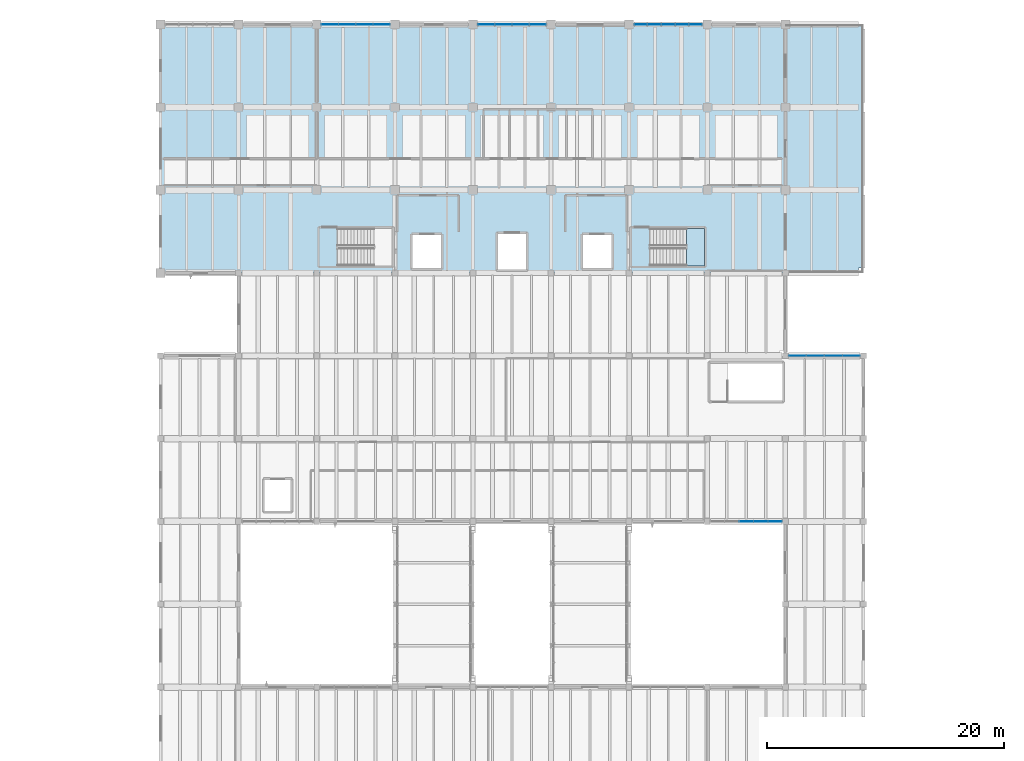
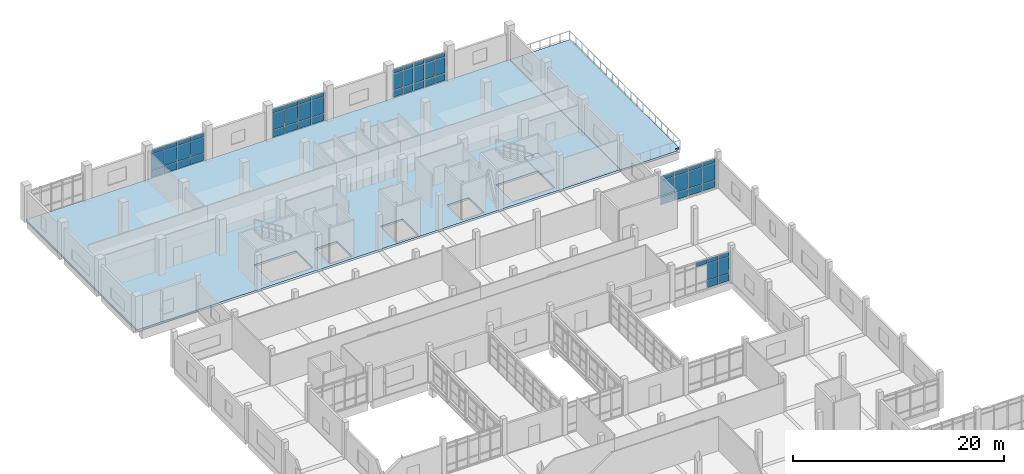
# One storey, part 43 of 65: 58 plates, 3 slabs, 6 elements without a shape of their own.
"""IFC4 building model written with IfcOpenShell, lengths in metres."""

from ifc_helpers import new_model, si_unit, direction, frame, origin, origin_2d, place, context, subcontext, project, spatial, polyline, rectangle, outline, extrude, material, layer, layer_set, type_object, element, aggregate, save


model = new_model("IFC4")

# Units and contexts
model_context = context("Model", 3, precision=1e-05, world=origin(), true_north=direction((0.0, 1.0)))
body_context = subcontext(model_context, "Body", "Model", "MODEL_VIEW")
ifc_project = project(units=[si_unit("LENGTHUNIT", "METRE"), si_unit("AREAUNIT", "SQUARE_METRE"), si_unit("VOLUMEUNIT", "CUBIC_METRE"), si_unit("PLANEANGLEUNIT", "RADIAN"), si_unit("MASSUNIT", "GRAM", prefix="KILO")], contexts=[model_context])

# Site, building, storey
site_placement = place(None, origin())
site = spatial("IfcSite", under=ifc_project, at=site_placement, CompositionType="ELEMENT")
building_placement = place(site_placement, origin())
building = spatial("IfcBuilding", under=site, at=building_placement, Name="Ciguamira Faculty of Natural Sciences", CompositionType="ELEMENT")
storey_placement = place(building_placement, frame((0.0, 0.0, 12.60009765625)))
storey = spatial("IfcBuildingStorey", under=building, at=storey_placement, Name="L03", CompositionType="ELEMENT", Elevation=12.60009765625)

# Curtain wall, plates
ifc_material_1 = material(Name="Anodized aluminium curtain wall", Category="aluminium")
curtain_wall_type_1 = type_object("IfcCurtainWallType", Name="CurtainWall_CW-11", PredefinedType="USERDEFINED", material=ifc_material_1)
curtain_wall_1_placement = place(storey_placement, origin())
curtain_wall_1 = element("IfcCurtainWall", 1, at=curtain_wall_1_placement, inside=storey, type_object=curtain_wall_type_1, Name="L03 unitised curtain wall 0095", ObjectType="UNITISED CURTAIN WALL", PredefinedType="USERDEFINED")
ifc_material_2 = material(Name="Low-E laminated solar glass", Category="glass")
ifc_layer_1 = layer(ifc_material_2, 0.028076171875, Name="Low-E laminated solar glass")
ifc_layer_set_1 = layer_set([ifc_layer_1], Name="Low-E laminated solar glass")
plate_type_1 = type_object("IfcPlateType", Name="CWPanel_CWP-01", PredefinedType="CURTAIN_PANEL", material=ifc_layer_set_1)
plate_1_placement = place(storey_placement, frame((111.1298828125, 87.0, 0.06982421875), z_axis=(0.0, 0.0, 1.0), x_axis=(1.0, 0.0, 0.0)))
plate_1 = element("IfcPlate", 2, at=plate_1_placement, type_object=plate_type_1, Name="CW-11 panel 1.1", PredefinedType="CURTAIN_PANEL", context=body_context, shape_type="SweptSolid", body=[
    extrude(rectangle(XDim=1.419921875, YDim=0.028076171875, at=origin_2d()), origin(), (0.0, 0.0, 1.0), 0.794921875),
])
plate_2_placement = place(storey_placement, frame((111.1298828125, 87.0, 0.93505859375), z_axis=(0.0, 0.0, 1.0), x_axis=(1.0, 0.0, 0.0)))
plate_2 = element("IfcPlate", 3, at=plate_2_placement, type_object=plate_type_1, Name="CW-11 panel 1.2", PredefinedType="CURTAIN_PANEL", context=body_context, shape_type="SweptSolid", body=[
    extrude(rectangle(XDim=1.419921875, YDim=0.028076171875, at=origin_2d()), origin(), (0.0, 0.0, 1.0), 1.885009765625),
])
plate_3_placement = place(storey_placement, frame((111.1298828125, 87.0, 2.8896484375), z_axis=(0.0, 0.0, 1.0), x_axis=(1.0, 0.0, 0.0)))
plate_3 = element("IfcPlate", 4, at=plate_3_placement, type_object=plate_type_1, Name="CW-11 panel 1.3", PredefinedType="CURTAIN_PANEL", context=body_context, shape_type="SweptSolid", body=[
    extrude(rectangle(XDim=1.419921875, YDim=0.028076171875, at=origin_2d()), origin(), (0.0, 0.0, 1.0), 0.445068359375),
])
plate_4_placement = place(storey_placement, frame((112.637451171875, 87.0, 0.06982421875), z_axis=(0.0, 0.0, 1.0), x_axis=(1.0, 0.0, 0.0)))
plate_4 = element("IfcPlate", 5, at=plate_4_placement, type_object=plate_type_1, Name="CW-11 panel 2.1", PredefinedType="CURTAIN_PANEL", context=body_context, shape_type="SweptSolid", body=[
    extrude(rectangle(XDim=1.455078125, YDim=0.028076171875, at=origin_2d()), origin(), (0.0, 0.0, 1.0), 0.794921875),
])
plate_5_placement = place(storey_placement, frame((112.637451171875, 87.0, 0.93505859375), z_axis=(0.0, 0.0, 1.0), x_axis=(1.0, 0.0, 0.0)))
plate_5 = element("IfcPlate", 6, at=plate_5_placement, type_object=plate_type_1, Name="CW-11 panel 2.2", PredefinedType="CURTAIN_PANEL", context=body_context, shape_type="SweptSolid", body=[
    extrude(rectangle(XDim=1.455078125, YDim=0.028076171875, at=origin_2d()), origin(), (0.0, 0.0, 1.0), 1.885009765625),
])
plate_6_placement = place(storey_placement, frame((112.637451171875, 87.0, 2.8896484375), z_axis=(0.0, 0.0, 1.0), x_axis=(1.0, 0.0, 0.0)))
plate_6 = element("IfcPlate", 7, at=plate_6_placement, type_object=plate_type_1, Name="CW-11 panel 2.3", PredefinedType="CURTAIN_PANEL", context=body_context, shape_type="SweptSolid", body=[
    extrude(rectangle(XDim=1.455078125, YDim=0.028076171875, at=origin_2d()), origin(), (0.0, 0.0, 1.0), 0.445068359375),
])
plate_7_placement = place(storey_placement, frame((114.16259765625, 87.0, 0.06982421875), z_axis=(0.0, 0.0, 1.0), x_axis=(1.0, 0.0, 0.0)))
plate_7 = element("IfcPlate", 8, at=plate_7_placement, type_object=plate_type_1, Name="CW-11 panel 3.1", PredefinedType="CURTAIN_PANEL", context=body_context, shape_type="SweptSolid", body=[
    extrude(rectangle(XDim=1.455078125, YDim=0.028076171875, at=origin_2d()), origin(), (0.0, 0.0, 1.0), 0.794921875),
])
plate_8_placement = place(storey_placement, frame((114.16259765625, 87.0, 0.93505859375), z_axis=(0.0, 0.0, 1.0), x_axis=(1.0, 0.0, 0.0)))
plate_8 = element("IfcPlate", 9, at=plate_8_placement, type_object=plate_type_1, Name="CW-11 panel 3.2", PredefinedType="CURTAIN_PANEL", context=body_context, shape_type="SweptSolid", body=[
    extrude(rectangle(XDim=1.455078125, YDim=0.028076171875, at=origin_2d()), origin(), (0.0, 0.0, 1.0), 1.885009765625),
])
plate_9_placement = place(storey_placement, frame((114.16259765625, 87.0, 2.8896484375), z_axis=(0.0, 0.0, 1.0), x_axis=(1.0, 0.0, 0.0)))
plate_9 = element("IfcPlate", 10, at=plate_9_placement, type_object=plate_type_1, Name="CW-11 panel 3.3", PredefinedType="CURTAIN_PANEL", context=body_context, shape_type="SweptSolid", body=[
    extrude(rectangle(XDim=1.455078125, YDim=0.028076171875, at=origin_2d()), origin(), (0.0, 0.0, 1.0), 0.445068359375),
])
plate_10_placement = place(storey_placement, frame((115.669921875, 87.0, 0.06982421875), z_axis=(0.0, 0.0, 1.0), x_axis=(1.0, 0.0, 0.0)))
plate_10 = element("IfcPlate", 11, at=plate_10_placement, type_object=plate_type_1, Name="CW-11 panel 4.1", PredefinedType="CURTAIN_PANEL", context=body_context, shape_type="SweptSolid", body=[
    extrude(rectangle(XDim=1.419921875, YDim=0.028076171875, at=origin_2d()), origin(), (0.0, 0.0, 1.0), 0.794921875),
])
plate_11_placement = place(storey_placement, frame((115.669921875, 87.0, 0.93505859375), z_axis=(0.0, 0.0, 1.0), x_axis=(1.0, 0.0, 0.0)))
plate_11 = element("IfcPlate", 12, at=plate_11_placement, type_object=plate_type_1, Name="CW-11 panel 4.2", PredefinedType="CURTAIN_PANEL", context=body_context, shape_type="SweptSolid", body=[
    extrude(rectangle(XDim=1.419921875, YDim=0.028076171875, at=origin_2d()), origin(), (0.0, 0.0, 1.0), 1.885009765625),
])
plate_12_placement = place(storey_placement, frame((115.669921875, 87.0, 2.8896484375), z_axis=(0.0, 0.0, 1.0), x_axis=(1.0, 0.0, 0.0)))
plate_12 = element("IfcPlate", 13, at=plate_12_placement, type_object=plate_type_1, Name="CW-11 panel 4.3", PredefinedType="CURTAIN_PANEL", context=body_context, shape_type="SweptSolid", body=[
    extrude(rectangle(XDim=1.419921875, YDim=0.028076171875, at=origin_2d()), origin(), (0.0, 0.0, 1.0), 0.445068359375),
])
aggregate(curtain_wall_1, [plate_1, plate_2, plate_3, plate_4, plate_5, plate_6, plate_7, plate_8, plate_9, plate_10, plate_11, plate_12])

curtain_wall_type_2 = type_object("IfcCurtainWallType", Name="CurtainWall_CW-01", PredefinedType="USERDEFINED", material=ifc_material_1)
curtain_wall_2_placement = place(storey_placement, origin())
curtain_wall_2 = element("IfcCurtainWall", 14, at=curtain_wall_2_placement, inside=storey, type_object=curtain_wall_type_2, Name="L03 unitised curtain wall 0097", ObjectType="UNITISED CURTAIN WALL", PredefinedType="USERDEFINED")
plate_13_placement = place(storey_placement, frame((71.621337890625, 115.0, 0.059814453125), z_axis=(0.0, 0.0, 1.0), x_axis=(1.0, 0.0, 0.0)))
plate_13 = element("IfcPlate", 15, at=plate_13_placement, type_object=plate_type_1, Name="CW-01 panel 1.1", PredefinedType="CURTAIN_PANEL", context=body_context, shape_type="SweptSolid", body=[
    extrude(rectangle(XDim=1.37255859375, YDim=0.028076171875, at=origin_2d()), origin(), (0.0, 0.0, 1.0), 0.81005859375),
])
plate_14_placement = place(storey_placement, frame((71.621337890625, 115.0, 0.929931640625), z_axis=(0.0, 0.0, 1.0), x_axis=(1.0, 0.0, 0.0)))
plate_14 = element("IfcPlate", 16, at=plate_14_placement, type_object=plate_type_1, Name="CW-01 panel 1.2", PredefinedType="CURTAIN_PANEL", context=body_context, shape_type="SweptSolid", body=[
    extrude(rectangle(XDim=1.37255859375, YDim=0.028076171875, at=origin_2d()), origin(), (0.0, 0.0, 1.0), 1.77490234375),
])
plate_15_placement = place(storey_placement, frame((71.621337890625, 115.0, 2.764892578125), z_axis=(0.0, 0.0, 1.0), x_axis=(1.0, 0.0, 0.0)))
plate_15 = element("IfcPlate", 17, at=plate_15_placement, type_object=plate_type_1, Name="CW-01 panel 1.3", PredefinedType="CURTAIN_PANEL", context=body_context, shape_type="SweptSolid", body=[
    extrude(rectangle(XDim=1.37255859375, YDim=0.028076171875, at=origin_2d()), origin(), (0.0, 0.0, 1.0), 0.4599609375),
])
plate_16_placement = place(storey_placement, frame((73.06884765625, 115.0, 0.059814453125), z_axis=(0.0, 0.0, 1.0), x_axis=(1.0, 0.0, 0.0)))
plate_16 = element("IfcPlate", 18, at=plate_16_placement, type_object=plate_type_1, Name="CW-01 panel 2.1", PredefinedType="CURTAIN_PANEL", context=body_context, shape_type="SweptSolid", body=[
    extrude(rectangle(XDim=1.402587890625, YDim=0.028076171875, at=origin_2d()), origin(), (0.0, 0.0, 1.0), 0.81005859375),
])
plate_17_placement = place(storey_placement, frame((73.06884765625, 115.0, 0.929931640625), z_axis=(0.0, 0.0, 1.0), x_axis=(1.0, 0.0, 0.0)))
plate_17 = element("IfcPlate", 19, at=plate_17_placement, type_object=plate_type_1, Name="CW-01 panel 2.2", PredefinedType="CURTAIN_PANEL", context=body_context, shape_type="SweptSolid", body=[
    extrude(rectangle(XDim=1.402587890625, YDim=0.028076171875, at=origin_2d()), origin(), (0.0, 0.0, 1.0), 1.77490234375),
])
plate_18_placement = place(storey_placement, frame((73.06884765625, 115.0, 2.764892578125), z_axis=(0.0, 0.0, 1.0), x_axis=(1.0, 0.0, 0.0)))
plate_18 = element("IfcPlate", 20, at=plate_18_placement, type_object=plate_type_1, Name="CW-01 panel 2.3", PredefinedType="CURTAIN_PANEL", context=body_context, shape_type="SweptSolid", body=[
    extrude(rectangle(XDim=1.402587890625, YDim=0.028076171875, at=origin_2d()), origin(), (0.0, 0.0, 1.0), 0.4599609375),
])
plate_19_placement = place(storey_placement, frame((74.53125, 115.0, 0.059814453125), z_axis=(0.0, 0.0, 1.0), x_axis=(1.0, 0.0, 0.0)))
plate_19 = element("IfcPlate", 21, at=plate_19_placement, type_object=plate_type_1, Name="CW-01 panel 3.1", PredefinedType="CURTAIN_PANEL", context=body_context, shape_type="SweptSolid", body=[
    extrude(rectangle(XDim=1.402587890625, YDim=0.028076171875, at=origin_2d()), origin(), (0.0, 0.0, 1.0), 0.81005859375),
])
plate_20_placement = place(storey_placement, frame((74.53125, 115.0, 0.929931640625), z_axis=(0.0, 0.0, 1.0), x_axis=(1.0, 0.0, 0.0)))
plate_20 = element("IfcPlate", 22, at=plate_20_placement, type_object=plate_type_1, Name="CW-01 panel 3.2", PredefinedType="CURTAIN_PANEL", context=body_context, shape_type="SweptSolid", body=[
    extrude(rectangle(XDim=1.402587890625, YDim=0.028076171875, at=origin_2d()), origin(), (0.0, 0.0, 1.0), 1.77490234375),
])
plate_21_placement = place(storey_placement, frame((74.53125, 115.0, 2.764892578125), z_axis=(0.0, 0.0, 1.0), x_axis=(1.0, 0.0, 0.0)))
plate_21 = element("IfcPlate", 23, at=plate_21_placement, type_object=plate_type_1, Name="CW-01 panel 3.3", PredefinedType="CURTAIN_PANEL", context=body_context, shape_type="SweptSolid", body=[
    extrude(rectangle(XDim=1.402587890625, YDim=0.028076171875, at=origin_2d()), origin(), (0.0, 0.0, 1.0), 0.4599609375),
])
plate_22_placement = place(storey_placement, frame((75.978759765625, 115.0, 0.059814453125), z_axis=(0.0, 0.0, 1.0), x_axis=(1.0, 0.0, 0.0)))
plate_22 = element("IfcPlate", 24, at=plate_22_placement, type_object=plate_type_1, Name="CW-01 panel 4.1", PredefinedType="CURTAIN_PANEL", context=body_context, shape_type="SweptSolid", body=[
    extrude(rectangle(XDim=1.37255859375, YDim=0.028076171875, at=origin_2d()), origin(), (0.0, 0.0, 1.0), 0.81005859375),
])
plate_23_placement = place(storey_placement, frame((75.978759765625, 115.0, 0.929931640625), z_axis=(0.0, 0.0, 1.0), x_axis=(1.0, 0.0, 0.0)))
plate_23 = element("IfcPlate", 25, at=plate_23_placement, type_object=plate_type_1, Name="CW-01 panel 4.2", PredefinedType="CURTAIN_PANEL", context=body_context, shape_type="SweptSolid", body=[
    extrude(rectangle(XDim=1.37255859375, YDim=0.028076171875, at=origin_2d()), origin(), (0.0, 0.0, 1.0), 1.77490234375),
])
plate_24_placement = place(storey_placement, frame((75.978759765625, 115.0, 2.764892578125), z_axis=(0.0, 0.0, 1.0), x_axis=(1.0, 0.0, 0.0)))
plate_24 = element("IfcPlate", 26, at=plate_24_placement, type_object=plate_type_1, Name="CW-01 panel 4.3", PredefinedType="CURTAIN_PANEL", context=body_context, shape_type="SweptSolid", body=[
    extrude(rectangle(XDim=1.37255859375, YDim=0.028076171875, at=origin_2d()), origin(), (0.0, 0.0, 1.0), 0.4599609375),
])
aggregate(curtain_wall_2, [plate_13, plate_14, plate_15, plate_16, plate_17, plate_18, plate_19, plate_20, plate_21, plate_22, plate_23, plate_24])

curtain_wall_type_3 = type_object("IfcCurtainWallType", Name="CurtainWall_CW-03", PredefinedType="USERDEFINED", material=ifc_material_1)
curtain_wall_3_placement = place(storey_placement, origin())
curtain_wall_3 = element("IfcCurtainWall", 27, at=curtain_wall_3_placement, inside=storey, type_object=curtain_wall_type_3, Name="L03 unitised curtain wall 0099", ObjectType="UNITISED CURTAIN WALL", PredefinedType="USERDEFINED")
plate_25_placement = place(storey_placement, frame((97.8798828125, 115.0, 0.080078125), z_axis=(0.0, 0.0, 1.0), x_axis=(1.0, 0.0, 0.0)))
plate_25 = element("IfcPlate", 28, at=plate_25_placement, type_object=plate_type_1, Name="CW-03 panel 1.1", PredefinedType="CURTAIN_PANEL", context=body_context, shape_type="SweptSolid", body=[
    extrude(rectangle(XDim=1.050048828125, YDim=0.028076171875, at=origin_2d()), origin(), (0.0, 0.0, 1.0), 0.780029296875),
])
plate_26_placement = place(storey_placement, frame((97.8798828125, 115.0, 0.93994140625), z_axis=(0.0, 0.0, 1.0), x_axis=(1.0, 0.0, 0.0)))
plate_26 = element("IfcPlate", 29, at=plate_26_placement, type_object=plate_type_1, Name="CW-03 panel 1.2", PredefinedType="CURTAIN_PANEL", context=body_context, shape_type="SweptSolid", body=[
    extrude(rectangle(XDim=1.050048828125, YDim=0.028076171875, at=origin_2d()), origin(), (0.0, 0.0, 1.0), 1.81494140625),
])
plate_27_placement = place(storey_placement, frame((97.8798828125, 115.0, 2.8349609375), z_axis=(0.0, 0.0, 1.0), x_axis=(1.0, 0.0, 0.0)))
plate_27 = element("IfcPlate", 30, at=plate_27_placement, type_object=plate_type_1, Name="CW-03 panel 1.3", PredefinedType="CURTAIN_PANEL", context=body_context, shape_type="SweptSolid", body=[
    extrude(rectangle(XDim=1.050048828125, YDim=0.028076171875, at=origin_2d()), origin(), (0.0, 0.0, 1.0), 0.429931640625),
])
plate_28_placement = place(storey_placement, frame((99.030029296875, 115.0, 0.080078125), z_axis=(0.0, 0.0, 1.0), x_axis=(1.0, 0.0, 0.0)))
plate_28 = element("IfcPlate", 31, at=plate_28_placement, type_object=plate_type_1, Name="CW-03 panel 2.1", PredefinedType="CURTAIN_PANEL", context=body_context, shape_type="SweptSolid", body=[
    extrude(rectangle(XDim=1.090087890625, YDim=0.028076171875, at=origin_2d()), origin(), (0.0, 0.0, 1.0), 0.780029296875),
])
plate_29_placement = place(storey_placement, frame((99.030029296875, 115.0, 0.93994140625), z_axis=(0.0, 0.0, 1.0), x_axis=(1.0, 0.0, 0.0)))
plate_29 = element("IfcPlate", 32, at=plate_29_placement, type_object=plate_type_1, Name="CW-03 panel 2.2", PredefinedType="CURTAIN_PANEL", context=body_context, shape_type="SweptSolid", body=[
    extrude(rectangle(XDim=1.090087890625, YDim=0.028076171875, at=origin_2d()), origin(), (0.0, 0.0, 1.0), 1.81494140625),
])
plate_30_placement = place(storey_placement, frame((99.030029296875, 115.0, 2.8349609375), z_axis=(0.0, 0.0, 1.0), x_axis=(1.0, 0.0, 0.0)))
plate_30 = element("IfcPlate", 33, at=plate_30_placement, type_object=plate_type_1, Name="CW-03 panel 2.3", PredefinedType="CURTAIN_PANEL", context=body_context, shape_type="SweptSolid", body=[
    extrude(rectangle(XDim=1.090087890625, YDim=0.028076171875, at=origin_2d()), origin(), (0.0, 0.0, 1.0), 0.429931640625),
])
plate_31_placement = place(storey_placement, frame((100.199951171875, 115.0, 0.080078125), z_axis=(0.0, 0.0, 1.0), x_axis=(1.0, 0.0, 0.0)))
plate_31 = element("IfcPlate", 34, at=plate_31_placement, type_object=plate_type_1, Name="CW-03 panel 3.1", PredefinedType="CURTAIN_PANEL", context=body_context, shape_type="SweptSolid", body=[
    extrude(rectangle(XDim=1.090087890625, YDim=0.028076171875, at=origin_2d()), origin(), (0.0, 0.0, 1.0), 0.780029296875),
])
plate_32_placement = place(storey_placement, frame((100.199951171875, 115.0, 0.93994140625), z_axis=(0.0, 0.0, 1.0), x_axis=(1.0, 0.0, 0.0)))
plate_32 = element("IfcPlate", 35, at=plate_32_placement, type_object=plate_type_1, Name="CW-03 panel 3.2", PredefinedType="CURTAIN_PANEL", context=body_context, shape_type="SweptSolid", body=[
    extrude(rectangle(XDim=1.090087890625, YDim=0.028076171875, at=origin_2d()), origin(), (0.0, 0.0, 1.0), 1.81494140625),
])
plate_33_placement = place(storey_placement, frame((100.199951171875, 115.0, 2.8349609375), z_axis=(0.0, 0.0, 1.0), x_axis=(1.0, 0.0, 0.0)))
plate_33 = element("IfcPlate", 36, at=plate_33_placement, type_object=plate_type_1, Name="CW-03 panel 3.3", PredefinedType="CURTAIN_PANEL", context=body_context, shape_type="SweptSolid", body=[
    extrude(rectangle(XDim=1.090087890625, YDim=0.028076171875, at=origin_2d()), origin(), (0.0, 0.0, 1.0), 0.429931640625),
])
plate_34_placement = place(storey_placement, frame((101.3701171875, 115.0, 0.080078125), z_axis=(0.0, 0.0, 1.0), x_axis=(1.0, 0.0, 0.0)))
plate_34 = element("IfcPlate", 37, at=plate_34_placement, type_object=plate_type_1, Name="CW-03 panel 4.1", PredefinedType="CURTAIN_PANEL", context=body_context, shape_type="SweptSolid", body=[
    extrude(rectangle(XDim=1.090087890625, YDim=0.028076171875, at=origin_2d()), origin(), (0.0, 0.0, 1.0), 0.780029296875),
])
plate_35_placement = place(storey_placement, frame((101.3701171875, 115.0, 0.93994140625), z_axis=(0.0, 0.0, 1.0), x_axis=(1.0, 0.0, 0.0)))
plate_35 = element("IfcPlate", 38, at=plate_35_placement, type_object=plate_type_1, Name="CW-03 panel 4.2", PredefinedType="CURTAIN_PANEL", context=body_context, shape_type="SweptSolid", body=[
    extrude(rectangle(XDim=1.090087890625, YDim=0.028076171875, at=origin_2d()), origin(), (0.0, 0.0, 1.0), 1.81494140625),
])
plate_36_placement = place(storey_placement, frame((101.3701171875, 115.0, 2.8349609375), z_axis=(0.0, 0.0, 1.0), x_axis=(1.0, 0.0, 0.0)))
plate_36 = element("IfcPlate", 39, at=plate_36_placement, type_object=plate_type_1, Name="CW-03 panel 4.3", PredefinedType="CURTAIN_PANEL", context=body_context, shape_type="SweptSolid", body=[
    extrude(rectangle(XDim=1.090087890625, YDim=0.028076171875, at=origin_2d()), origin(), (0.0, 0.0, 1.0), 0.429931640625),
])
plate_37_placement = place(storey_placement, frame((102.52001953125, 115.0, 0.080078125), z_axis=(0.0, 0.0, 1.0), x_axis=(1.0, 0.0, 0.0)))
plate_37 = element("IfcPlate", 40, at=plate_37_placement, type_object=plate_type_1, Name="CW-03 panel 5.1", PredefinedType="CURTAIN_PANEL", context=body_context, shape_type="SweptSolid", body=[
    extrude(rectangle(XDim=1.050048828125, YDim=0.028076171875, at=origin_2d()), origin(), (0.0, 0.0, 1.0), 0.780029296875),
])
plate_38_placement = place(storey_placement, frame((102.52001953125, 115.0, 0.93994140625), z_axis=(0.0, 0.0, 1.0), x_axis=(1.0, 0.0, 0.0)))
plate_38 = element("IfcPlate", 41, at=plate_38_placement, type_object=plate_type_1, Name="CW-03 panel 5.2", PredefinedType="CURTAIN_PANEL", context=body_context, shape_type="SweptSolid", body=[
    extrude(rectangle(XDim=1.050048828125, YDim=0.028076171875, at=origin_2d()), origin(), (0.0, 0.0, 1.0), 1.81494140625),
])
plate_39_placement = place(storey_placement, frame((102.52001953125, 115.0, 2.8349609375), z_axis=(0.0, 0.0, 1.0), x_axis=(1.0, 0.0, 0.0)))
plate_39 = element("IfcPlate", 42, at=plate_39_placement, type_object=plate_type_1, Name="CW-03 panel 5.3", PredefinedType="CURTAIN_PANEL", context=body_context, shape_type="SweptSolid", body=[
    extrude(rectangle(XDim=1.050048828125, YDim=0.028076171875, at=origin_2d()), origin(), (0.0, 0.0, 1.0), 0.429931640625),
])
aggregate(curtain_wall_3, [plate_25, plate_26, plate_27, plate_28, plate_29, plate_30, plate_31, plate_32, plate_33, plate_34, plate_35, plate_36, plate_37, plate_38, plate_39])

curtain_wall_type_4 = type_object("IfcCurtainWallType", Name="CurtainWall_CW-10", PredefinedType="USERDEFINED", material=ifc_material_1)
curtain_wall_4_placement = place(storey_placement, origin())
curtain_wall_4 = element("IfcCurtainWall", 43, at=curtain_wall_4_placement, inside=storey, type_object=curtain_wall_type_4, Name="L03 unitised curtain wall 0094", ObjectType="UNITISED CURTAIN WALL", PredefinedType="USERDEFINED")
ifc_layer_2 = layer(ifc_material_2, 0.035888671875, Name="Low-E laminated solar glass")
ifc_layer_set_2 = layer_set([ifc_layer_2], Name="Low-E laminated solar glass")
plate_type_2 = type_object("IfcPlateType", Name="CWPanel_CWP-02", PredefinedType="CURTAIN_PANEL", material=ifc_layer_set_2)
plate_40_placement = place(storey_placement, frame((106.800048828125, 73.0, 2.885009765625), z_axis=(0.0, 0.0, 1.0), x_axis=(1.0, 0.0, 0.0)))
plate_40 = element("IfcPlate", 44, at=plate_40_placement, type_object=plate_type_2, Name="CW-10 panel 3.3", PredefinedType="CURTAIN_PANEL", context=body_context, shape_type="SweptSolid", body=[
    extrude(rectangle(XDim=1.159912109375, YDim=0.035888671875, at=origin_2d()), origin(), (0.0, 0.0, 1.0), 0.4599609375),
])
plate_41_placement = place(storey_placement, frame((108.02001953125, 73.0, 0.059814453125), z_axis=(0.0, 0.0, 1.0), x_axis=(1.0, 0.0, 0.0)))
plate_41 = element("IfcPlate", 45, at=plate_41_placement, type_object=plate_type_2, Name="CW-10 panel 4.1", PredefinedType="CURTAIN_PANEL", context=body_context, shape_type="SweptSolid", body=[
    extrude(rectangle(XDim=1.159912109375, YDim=0.035888671875, at=origin_2d()), origin(), (0.0, 0.0, 1.0), 0.81005859375),
])
plate_42_placement = place(storey_placement, frame((108.02001953125, 73.0, 0.929931640625), z_axis=(0.0, 0.0, 1.0), x_axis=(1.0, 0.0, 0.0)))
plate_42 = element("IfcPlate", 46, at=plate_42_placement, type_object=plate_type_2, Name="CW-10 panel 4.2", PredefinedType="CURTAIN_PANEL", context=body_context, shape_type="SweptSolid", body=[
    extrude(rectangle(XDim=1.159912109375, YDim=0.035888671875, at=origin_2d()), origin(), (0.0, 0.0, 1.0), 1.89501953125),
])
plate_43_placement = place(storey_placement, frame((108.02001953125, 73.0, 2.885009765625), z_axis=(0.0, 0.0, 1.0), x_axis=(1.0, 0.0, 0.0)))
plate_43 = element("IfcPlate", 47, at=plate_43_placement, type_object=plate_type_2, Name="CW-10 panel 4.3", PredefinedType="CURTAIN_PANEL", context=body_context, shape_type="SweptSolid", body=[
    extrude(rectangle(XDim=1.159912109375, YDim=0.035888671875, at=origin_2d()), origin(), (0.0, 0.0, 1.0), 0.4599609375),
])
plate_44_placement = place(storey_placement, frame((109.22509765625, 73.0, 0.059814453125), z_axis=(0.0, 0.0, 1.0), x_axis=(1.0, 0.0, 0.0)))
plate_44 = element("IfcPlate", 48, at=plate_44_placement, type_object=plate_type_2, Name="CW-10 panel 5.1", PredefinedType="CURTAIN_PANEL", context=body_context, shape_type="SweptSolid", body=[
    extrude(rectangle(XDim=1.1298828125, YDim=0.035888671875, at=origin_2d()), origin(), (0.0, 0.0, 1.0), 0.81005859375),
])
plate_45_placement = place(storey_placement, frame((109.22509765625, 73.0, 0.929931640625), z_axis=(0.0, 0.0, 1.0), x_axis=(1.0, 0.0, 0.0)))
plate_45 = element("IfcPlate", 49, at=plate_45_placement, type_object=plate_type_2, Name="CW-10 panel 5.2", PredefinedType="CURTAIN_PANEL", context=body_context, shape_type="SweptSolid", body=[
    extrude(rectangle(XDim=1.1298828125, YDim=0.035888671875, at=origin_2d()), origin(), (0.0, 0.0, 1.0), 1.89501953125),
])
plate_46_placement = place(storey_placement, frame((109.22509765625, 73.0, 2.885009765625), z_axis=(0.0, 0.0, 1.0), x_axis=(1.0, 0.0, 0.0)))
plate_46 = element("IfcPlate", 50, at=plate_46_placement, type_object=plate_type_2, Name="CW-10 panel 5.3", PredefinedType="CURTAIN_PANEL", context=body_context, shape_type="SweptSolid", body=[
    extrude(rectangle(XDim=1.1298828125, YDim=0.035888671875, at=origin_2d()), origin(), (0.0, 0.0, 1.0), 0.4599609375),
])
aggregate(curtain_wall_4, [plate_40, plate_41, plate_42, plate_43, plate_44, plate_45, plate_46])

curtain_wall_type_5 = type_object("IfcCurtainWallType", Name="CurtainWall_CW-02", PredefinedType="USERDEFINED", material=ifc_material_1)
curtain_wall_5_placement = place(storey_placement, origin())
curtain_wall_5 = element("IfcCurtainWall", 51, at=curtain_wall_5_placement, inside=storey, type_object=curtain_wall_type_5, Name="L03 unitised curtain wall 0098", ObjectType="UNITISED CURTAIN WALL", PredefinedType="USERDEFINED")
plate_47_placement = place(storey_placement, frame((84.82373046875, 115.0, 0.06982421875), z_axis=(0.0, 0.0, 1.0), x_axis=(1.0, 0.0, 0.0)))
plate_47 = element("IfcPlate", 52, at=plate_47_placement, type_object=plate_type_2, Name="CW-02 panel 1.1", PredefinedType="CURTAIN_PANEL", context=body_context, shape_type="SweptSolid", body=[
    extrude(rectangle(XDim=1.357421875, YDim=0.035888671875, at=origin_2d()), origin(), (0.0, 0.0, 1.0), 0.794921875),
])
plate_48_placement = place(storey_placement, frame((84.82373046875, 115.0, 0.93505859375), z_axis=(0.0, 0.0, 1.0), x_axis=(1.0, 0.0, 0.0)))
plate_48 = element("IfcPlate", 53, at=plate_48_placement, type_object=plate_type_2, Name="CW-02 panel 1.2", PredefinedType="CURTAIN_PANEL", context=body_context, shape_type="SweptSolid", body=[
    extrude(rectangle(XDim=1.357421875, YDim=0.035888671875, at=origin_2d()), origin(), (0.0, 0.0, 1.0), 1.864990234375),
])
plate_49_placement = place(storey_placement, frame((84.82373046875, 115.0, 2.86962890625), z_axis=(0.0, 0.0, 1.0), x_axis=(1.0, 0.0, 0.0)))
plate_49 = element("IfcPlate", 54, at=plate_49_placement, type_object=plate_type_2, Name="CW-02 panel 1.3", PredefinedType="CURTAIN_PANEL", context=body_context, shape_type="SweptSolid", body=[
    extrude(rectangle(XDim=1.357421875, YDim=0.035888671875, at=origin_2d()), origin(), (0.0, 0.0, 1.0), 0.445068359375),
])
plate_50_placement = place(storey_placement, frame((86.268798828125, 115.0, 0.06982421875), z_axis=(0.0, 0.0, 1.0), x_axis=(1.0, 0.0, 0.0)))
plate_50 = element("IfcPlate", 55, at=plate_50_placement, type_object=plate_type_2, Name="CW-02 panel 2.1", PredefinedType="CURTAIN_PANEL", context=body_context, shape_type="SweptSolid", body=[
    extrude(rectangle(XDim=1.392578125, YDim=0.035888671875, at=origin_2d()), origin(), (0.0, 0.0, 1.0), 0.794921875),
])
plate_51_placement = place(storey_placement, frame((86.268798828125, 115.0, 0.93505859375), z_axis=(0.0, 0.0, 1.0), x_axis=(1.0, 0.0, 0.0)))
plate_51 = element("IfcPlate", 56, at=plate_51_placement, type_object=plate_type_2, Name="CW-02 panel 2.2", PredefinedType="CURTAIN_PANEL", context=body_context, shape_type="SweptSolid", body=[
    extrude(rectangle(XDim=1.392578125, YDim=0.035888671875, at=origin_2d()), origin(), (0.0, 0.0, 1.0), 1.864990234375),
])
plate_52_placement = place(storey_placement, frame((86.268798828125, 115.0, 2.86962890625), z_axis=(0.0, 0.0, 1.0), x_axis=(1.0, 0.0, 0.0)))
plate_52 = element("IfcPlate", 57, at=plate_52_placement, type_object=plate_type_2, Name="CW-02 panel 2.3", PredefinedType="CURTAIN_PANEL", context=body_context, shape_type="SweptSolid", body=[
    extrude(rectangle(XDim=1.392578125, YDim=0.035888671875, at=origin_2d()), origin(), (0.0, 0.0, 1.0), 0.445068359375),
])
plate_53_placement = place(storey_placement, frame((87.731201171875, 115.0, 0.06982421875), z_axis=(0.0, 0.0, 1.0), x_axis=(1.0, 0.0, 0.0)))
plate_53 = element("IfcPlate", 58, at=plate_53_placement, type_object=plate_type_2, Name="CW-02 panel 3.1", PredefinedType="CURTAIN_PANEL", context=body_context, shape_type="SweptSolid", body=[
    extrude(rectangle(XDim=1.392578125, YDim=0.035888671875, at=origin_2d()), origin(), (0.0, 0.0, 1.0), 0.794921875),
])
plate_54_placement = place(storey_placement, frame((87.731201171875, 115.0, 0.93505859375), z_axis=(0.0, 0.0, 1.0), x_axis=(1.0, 0.0, 0.0)))
plate_54 = element("IfcPlate", 59, at=plate_54_placement, type_object=plate_type_2, Name="CW-02 panel 3.2", PredefinedType="CURTAIN_PANEL", context=body_context, shape_type="SweptSolid", body=[
    extrude(rectangle(XDim=1.392578125, YDim=0.035888671875, at=origin_2d()), origin(), (0.0, 0.0, 1.0), 1.864990234375),
])
plate_55_placement = place(storey_placement, frame((87.731201171875, 115.0, 2.86962890625), z_axis=(0.0, 0.0, 1.0), x_axis=(1.0, 0.0, 0.0)))
plate_55 = element("IfcPlate", 60, at=plate_55_placement, type_object=plate_type_2, Name="CW-02 panel 3.3", PredefinedType="CURTAIN_PANEL", context=body_context, shape_type="SweptSolid", body=[
    extrude(rectangle(XDim=1.392578125, YDim=0.035888671875, at=origin_2d()), origin(), (0.0, 0.0, 1.0), 0.445068359375),
])
plate_56_placement = place(storey_placement, frame((89.17626953125, 115.0, 0.06982421875), z_axis=(0.0, 0.0, 1.0), x_axis=(1.0, 0.0, 0.0)))
plate_56 = element("IfcPlate", 61, at=plate_56_placement, type_object=plate_type_2, Name="CW-02 panel 4.1", PredefinedType="CURTAIN_PANEL", context=body_context, shape_type="SweptSolid", body=[
    extrude(rectangle(XDim=1.357421875, YDim=0.035888671875, at=origin_2d()), origin(), (0.0, 0.0, 1.0), 0.794921875),
])
plate_57_placement = place(storey_placement, frame((89.17626953125, 115.0, 0.93505859375), z_axis=(0.0, 0.0, 1.0), x_axis=(1.0, 0.0, 0.0)))
plate_57 = element("IfcPlate", 62, at=plate_57_placement, type_object=plate_type_2, Name="CW-02 panel 4.2", PredefinedType="CURTAIN_PANEL", context=body_context, shape_type="SweptSolid", body=[
    extrude(rectangle(XDim=1.357421875, YDim=0.035888671875, at=origin_2d()), origin(), (0.0, 0.0, 1.0), 1.864990234375),
])
plate_58_placement = place(storey_placement, frame((89.17626953125, 115.0, 2.86962890625), z_axis=(0.0, 0.0, 1.0), x_axis=(1.0, 0.0, 0.0)))
plate_58 = element("IfcPlate", 63, at=plate_58_placement, type_object=plate_type_2, Name="CW-02 panel 4.3", PredefinedType="CURTAIN_PANEL", context=body_context, shape_type="SweptSolid", body=[
    extrude(rectangle(XDim=1.357421875, YDim=0.035888671875, at=origin_2d()), origin(), (0.0, 0.0, 1.0), 0.445068359375),
])
aggregate(curtain_wall_5, [plate_47, plate_48, plate_49, plate_50, plate_51, plate_52, plate_53, plate_54, plate_55, plate_56, plate_57, plate_58])

# Slabs
ifc_material_3 = material(Name="Concrete C40/50", Category="concrete")
ifc_layer_3 = layer(ifc_material_3, 0.239990234375, Name="Concrete C40/50")
ifc_layer_set_3 = layer_set([ifc_layer_3], Name="Concrete C40/50")
slab_type_1 = type_object("IfcSlabType", Name="Slab_SF-05_240", PredefinedType="FLOOR", material=ifc_layer_set_3)
slab_1_placement = place(storey_placement, frame((0.0, 0.0, -0.239990234375)))
element("IfcSlab", 64, at=slab_1_placement, inside=storey, type_object=slab_type_1, Name="L03 V5 structural slab", PredefinedType="FLOOR", context=body_context, shape_type="SweptSolid", body=[
    extrude(outline(polyline([(57.300048828125, 94.0), (110.10009765625, 94.0), (110.10009765625, 115.0), (57.300048828125, 115.0), (57.300048828125, 94.0)]), holes=[polyline([(72.260009765625, 94.60009765625), (76.85009765625, 94.60009765625), (76.85009765625, 97.760009765625), (72.260009765625, 97.760009765625), (72.260009765625, 94.60009765625)]), polyline([(98.659912109375, 94.60009765625), (103.25, 94.60009765625), (103.25, 97.760009765625), (98.659912109375, 97.760009765625), (98.659912109375, 94.60009765625)]), polyline([(78.60009765625, 94.39990234375), (81.0, 94.39990234375), (81.0, 97.199951171875), (78.60009765625, 97.199951171875), (78.60009765625, 94.39990234375)]), polyline([(93.0, 94.39990234375), (95.39990234375, 94.39990234375), (95.39990234375, 97.199951171875), (93.0, 97.199951171875), (93.0, 94.39990234375)]), polyline([(85.800048828125, 94.300048828125), (88.199951171875, 94.300048828125), (88.199951171875, 97.300048828125), (85.800048828125, 97.300048828125), (85.800048828125, 94.300048828125)])]), origin(), (0.0, 0.0, 1.0), 0.239990234375),
])
ifc_layer_4 = layer(ifc_material_3, 0.199951171875, Name="Concrete C40/50")
ifc_layer_set_4 = layer_set([ifc_layer_4], Name="Concrete C40/50")
slab_type_2 = type_object("IfcSlabType", Name="Slab_ST-01_200", PredefinedType="FLOOR", material=ifc_layer_set_4)
slab_2_placement = place(storey_placement, frame((0.0, 0.0, -0.2001953125)))
element("IfcSlab", 65, at=slab_2_placement, inside=storey, type_object=slab_type_2, Name="L03 Research East Setback Terrace", PredefinedType="FLOOR", context=body_context, shape_type="SweptSolid", body=[
    extrude(outline(polyline([(110.10009765625, 94.0), (116.300048828125, 94.0), (116.300048828125, 94.39990234375), (116.699951171875, 94.39990234375), (116.699951171875, 115.0), (110.10009765625, 115.0), (110.10009765625, 94.0)])), origin(), (0.0, 0.0, 1.0), 0.2001953125),
])

# Stair, slab
stair_type = type_object("IfcStairType", Name="Stair_STR-02", PredefinedType="HALF_TURN_STAIR", material=ifc_material_3)
stair_placement = place(storey_placement, origin())
stair = element("IfcStair", 66, at=stair_placement, inside=storey, type_object=stair_type, Name="L03 Tower East Exit Stair", PredefinedType="HALF_TURN_STAIR")
ifc_layer_5 = layer(ifc_material_3, 0.199951171875, Name="Concrete C40/50")
ifc_layer_set_5 = layer_set([ifc_layer_5], Name="Concrete C40/50")
slab_type_3 = type_object("IfcSlabType", Name="StairLanding_SLD01", PredefinedType="LANDING", material=ifc_layer_set_5)
slab_3_placement = place(storey_placement, frame((0.0, 0.0, 1.89990234375)))
slab_3 = element("IfcSlab", 67, at=slab_3_placement, type_object=slab_type_3, Name="ST-T2 landing 1", PredefinedType="LANDING", context=body_context, shape_type="SweptSolid", body=[
    extrude(outline(polyline([(101.739990234375, 94.60009765625), (103.25, 94.60009765625), (103.25, 97.760009765625), (101.739990234375, 97.760009765625), (101.739990234375, 94.60009765625)])), origin(), (0.0, 0.0, 1.0), 0.199951171875),
])
aggregate(stair, [slab_3])

save(model, "model.ifc")
